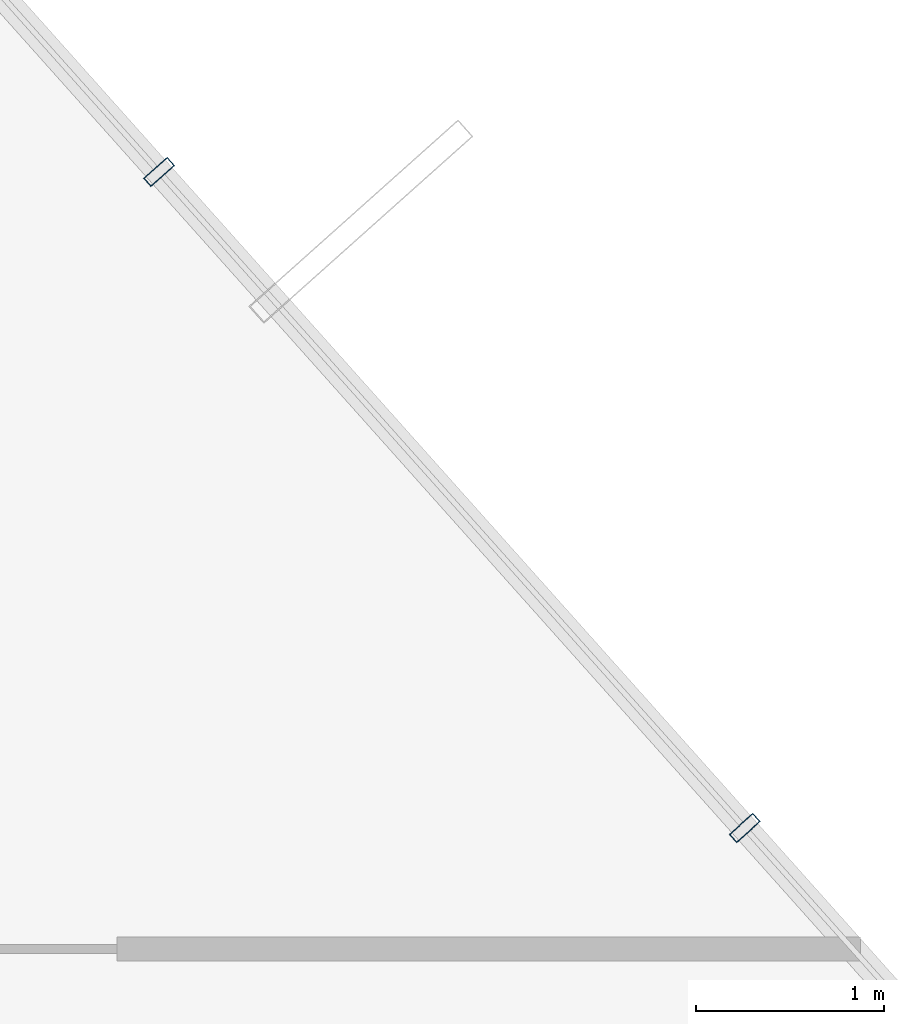
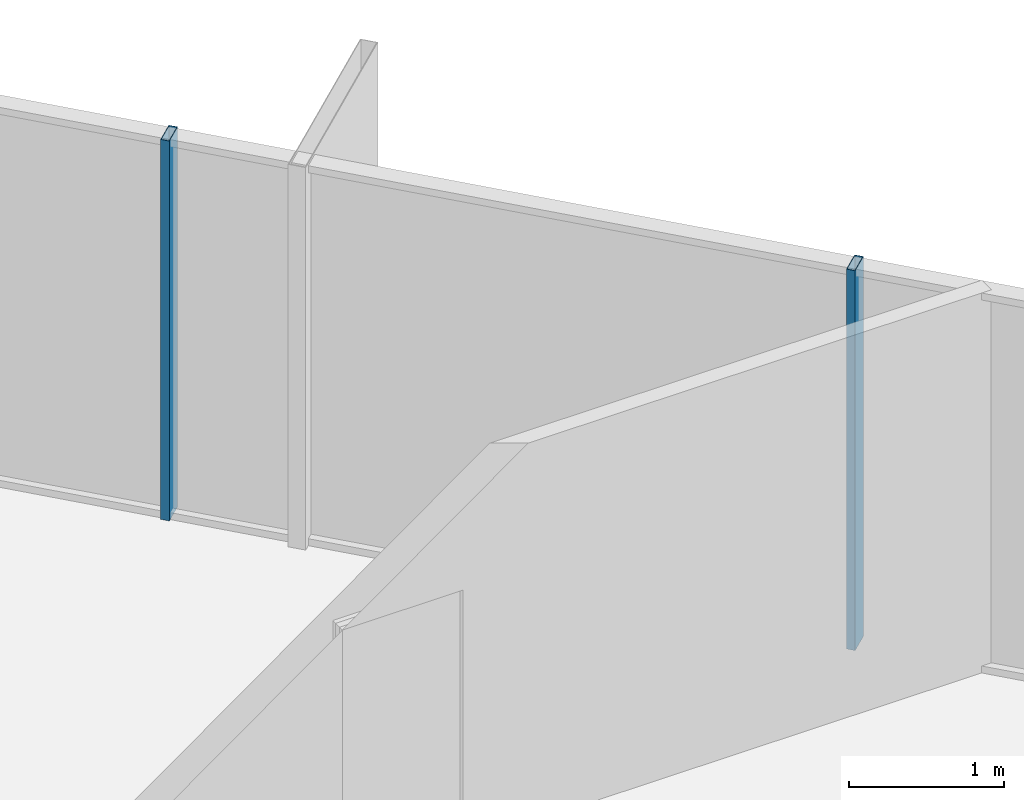
# One storey, part 29 of 38: 2 members, 1 element without a shape of its own.
"""IFC4 building model written with IfcOpenShell, lengths in metres."""

from ifc_helpers import new_model, si_unit, direction, frame, origin, origin_2d, place, context, subcontext, project, spatial, hollow_rectangle, extrude, source, transform, mapped, material, layer, layer_set, material_profile, profile_set, type_object, element, aggregate, save


model = new_model("IFC4")

# Units and contexts
model_context = context("Model", 3, precision=1e-05, world=origin(), true_north=direction((0.0, 1.0)))
body_context = subcontext(model_context, "Body", "Model", "MODEL_VIEW")
ifc_project = project(units=[si_unit("LENGTHUNIT", "METRE"), si_unit("AREAUNIT", "SQUARE_METRE"), si_unit("VOLUMEUNIT", "CUBIC_METRE"), si_unit("PLANEANGLEUNIT", "RADIAN"), si_unit("MASSUNIT", "GRAM", prefix="KILO")], contexts=[model_context])

# Site, building, storey
site_placement = place(None, origin())
site = spatial("IfcSite", under=ifc_project, at=site_placement, CompositionType="ELEMENT")
building_placement = place(site_placement, origin())
building = spatial("IfcBuilding", under=site, at=building_placement, Name="Veraguas Prism Commons", CompositionType="ELEMENT")
storey_placement = place(building_placement, frame((0.0, 0.0, 64.10009765625)))
storey = spatial("IfcBuildingStorey", under=building, at=storey_placement, Name="L17", CompositionType="ELEMENT", Elevation=64.10009765625)

# Curtain wall, members
ifc_material = material(Name="Anodised aluminium EN AW-6063 T6", Category="aluminium")
ifc_layer = layer(ifc_material, 0.169921875, Name="Unitised Flush Curtain Wall Zone 1", Category="aluminium")
ifc_layer_set = layer_set([ifc_layer], Name="Anodised aluminium EN AW-6063 T6")
curtain_wall_type = type_object("IfcCurtainWallType", Name="Unitised Flush Curtain Wall Zone 1", PredefinedType="NOTDEFINED", material=ifc_layer_set)
curtain_wall_placement = place(storey_placement, origin())
curtain_wall = element("IfcCurtainWall", 1, at=curtain_wall_placement, inside=storey, type_object=curtain_wall_type, Name="Tower Facade Curtain Wall L17-F1", PredefinedType="NOTDEFINED")
ifc_material_profile = material_profile(ifc_material, hollow_rectangle(XDim=0.06005859375, YDim=0.169921875, WallThickness=0.00390625, at=origin_2d()), Name="AL60X170X4")
ifc_profile_set = profile_set([ifc_material_profile], Name="Anodised aluminium EN AW-6063 T6")
member_type = type_object("IfcMemberType", Name="Curtain Wall Mullion Lower AL 60x170x4", PredefinedType="MULLION", material=ifc_profile_set)
shared_shape = source(origin(), body_context, "Body", "SweptSolid", [
    extrude(hollow_rectangle(XDim=0.06005859375, YDim=0.169921875, WallThickness=0.00390625, at=origin_2d()), origin(), (0.0, 0.0, 1.0), 3.0),
])
member_1_placement = place(storey_placement, frame((39.504150390625, 37.8427734375, 0.0), z_axis=(0.0, 0.0, 1.0), x_axis=(-0.666011867434, 0.745941145424, 0.0)))
member_1 = element("IfcMember", 2, at=member_1_placement, type_object=member_type, Name="CW-Z1 Mullion 3", PredefinedType="MULLION", context=body_context, shape_type="MappedRepresentation", body=[
    mapped(shared_shape, transform((0.0, 0.0, 0.0), scale=1.0)),
])
member_2_placement = place(storey_placement, frame((36.393310546875, 41.3271484375, 0.0), z_axis=(0.0, 0.0, 1.0), x_axis=(-0.666011867434, 0.745941145424, 0.0)))
member_2 = element("IfcMember", 3, at=member_2_placement, type_object=member_type, Name="CW-Z1 Mullion 4", PredefinedType="MULLION", context=body_context, shape_type="MappedRepresentation", body=[
    mapped(shared_shape, transform((0.0, 0.0, 0.0), scale=1.0)),
])
aggregate(curtain_wall, [member_1, member_2])

save(model, "model.ifc")
